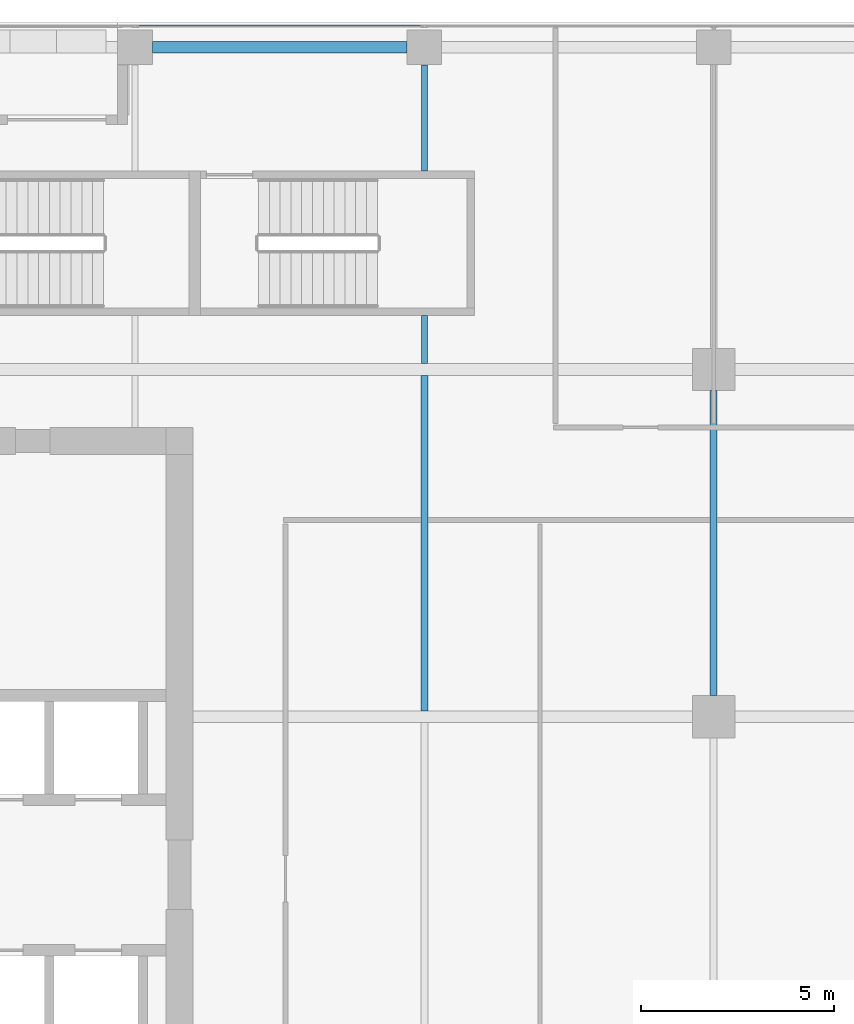
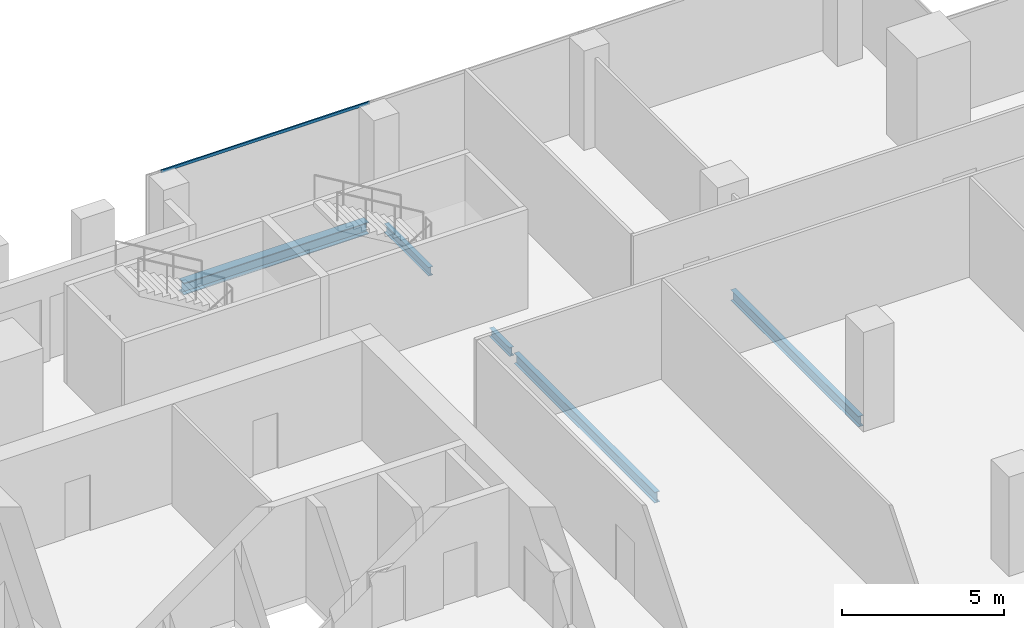
# One storey, part 20 of 36: 5 beams, 1 member, 1 element without a shape of its own.
"""IFC4 building model written with IfcOpenShell, lengths in metres."""

from ifc_helpers import new_model, si_unit, direction, frame, origin, origin_2d, place, context, subcontext, project, spatial, hollow_rectangle, i_section, extrude, source, transform, mapped, material, material_profile, profile_set, type_object, element, aggregate, save


model = new_model("IFC4")

# Units and contexts
model_context = context("Model", 3, precision=1e-05, world=origin(), true_north=direction((0.0, 1.0)))
body_context = subcontext(model_context, "Body", "Model", "MODEL_VIEW")
ifc_project = project(units=[si_unit("LENGTHUNIT", "METRE"), si_unit("AREAUNIT", "SQUARE_METRE"), si_unit("VOLUMEUNIT", "CUBIC_METRE"), si_unit("PLANEANGLEUNIT", "RADIAN"), si_unit("MASSUNIT", "GRAM", prefix="KILO")], contexts=[model_context])

# Site, building, storey
site_placement = place(None, origin())
site = spatial("IfcSite", under=ifc_project, at=site_placement, CompositionType="ELEMENT")
building_placement = place(site_placement, origin())
building = spatial("IfcBuilding", under=site, at=building_placement, Name="Khomas Fold Tower", CompositionType="ELEMENT")
storey_placement = place(building_placement, frame((0.0, 0.0, 226.199951171875)))
storey = spatial("IfcBuildingStorey", under=building, at=storey_placement, Name="L50", CompositionType="ELEMENT", Elevation=226.199951171875)

# Beams
ifc_material_1 = material(Name="Steel S355", Category="steel")
ifc_material_profile_1 = material_profile(ifc_material_1, i_section(OverallWidth=0.179931640625, OverallDepth=0.39990234375, WebThickness=0.008544921875, FlangeThickness=0.013427734375, at=origin_2d()), Name="IPE 400")
ifc_profile_set_1 = profile_set([ifc_material_profile_1], Name="Steel S355")
beam_type_1 = type_object("IfcBeamType", Name="IPE 400 beam JB3", PredefinedType="BEAM", material=ifc_profile_set_1)
shared_shape_1 = source(origin(), body_context, "Body", "SweptSolid", [
    extrude(i_section(OverallWidth=0.179931640625, OverallDepth=0.39990234375, WebThickness=0.008544921875, FlangeThickness=0.013427734375, at=origin_2d()), origin(), (0.0, 0.0, 1.0), 8.7001953125),
])
beam_1_placement = place(storey_placement, frame((27.0, 31.64990234375, -0.449951171875), z_axis=(0.0, 1.0, 0.0), x_axis=(-1.0, 0.0, 0.0)))
element("IfcBeam", 1, at=beam_1_placement, inside=storey, type_object=beam_type_1, Name="JB3", PredefinedType="BEAM", context=body_context, shape_type="MappedRepresentation", body=[
    mapped(shared_shape_1, transform((0.0, 0.0, 0.0))),
])
ifc_material_2 = material(Name="Steel S355", Category="steel")
ifc_material_profile_2 = material_profile(ifc_material_2, i_section(OverallWidth=0.159912109375, OverallDepth=0.330078125, WebThickness=0.007568359375, FlangeThickness=0.011474609375, at=origin_2d()), Name="IPE 330")
ifc_profile_set_2 = profile_set([ifc_material_profile_2], Name="Steel S355")
beam_type_2 = type_object("IfcBeamType", Name="IPE 330 beam JB1", PredefinedType="BEAM", material=ifc_profile_set_2)
shared_shape_2 = source(origin(), body_context, "Body", "SweptSolid", [
    extrude(i_section(OverallWidth=0.159912109375, OverallDepth=0.330078125, WebThickness=0.007568359375, FlangeThickness=0.011474609375, at=origin_2d()), origin(), (0.0, 0.0, 1.0), 1.25),
])
beam_2_placement = place(storey_placement, frame((27.0, 40.64990234375, -0.4150390625), z_axis=(0.0, 1.0, 0.0), x_axis=(-1.0, 0.0, 0.0)))
element("IfcBeam", 2, at=beam_2_placement, inside=storey, type_object=beam_type_2, Name="JB1", PredefinedType="BEAM", context=body_context, shape_type="MappedRepresentation", body=[
    mapped(shared_shape_2, transform((0.0, 0.0, 0.0))),
])
shared_shape_3 = source(origin(), body_context, "Body", "SweptSolid", [
    extrude(i_section(OverallWidth=0.159912109375, OverallDepth=0.330078125, WebThickness=0.007568359375, FlangeThickness=0.011474609375, at=origin_2d()), origin(), (0.0, 0.0, 1.0), 2.75),
])
beam_3_placement = place(storey_placement, frame((27.0, 45.64990234375, -0.4150390625), z_axis=(0.0, 1.0, 0.0), x_axis=(-1.0, 0.0, 0.0)))
element("IfcBeam", 3, at=beam_3_placement, inside=storey, type_object=beam_type_2, Name="JB1", PredefinedType="BEAM", context=body_context, shape_type="MappedRepresentation", body=[
    mapped(shared_shape_3, transform((0.0, 0.0, 0.0))),
])
ifc_material_3 = material(Name="Steel S355", Category="steel")
ifc_material_profile_3 = material_profile(ifc_material_3, i_section(OverallWidth=0.300048828125, OverallDepth=0.449951171875, WebThickness=0.013916015625, FlangeThickness=0.02587890625, at=origin_2d()), Name="HE 450 B")
ifc_profile_set_3 = profile_set([ifc_material_profile_3], Name="Steel S355")
beam_type_3 = type_object("IfcBeamType", Name="HE 450 B spandrel SB4", PredefinedType="SPANDREL", material=ifc_profile_set_3)
shared_shape_4 = source(origin(), body_context, "Body", "SweptSolid", [
    extrude(i_section(OverallWidth=0.300048828125, OverallDepth=0.449951171875, WebThickness=0.013916015625, FlangeThickness=0.02587890625, at=origin_2d()), origin(), (0.0, 0.0, 1.0), 6.60009765625),
])
beam_4_placement = place(storey_placement, frame((19.949951171875, 48.85009765625, -0.474853515625), z_axis=(1.0, 0.0, 0.0), x_axis=(0.0, 1.0, 0.0)))
element("IfcBeam", 4, at=beam_4_placement, inside=storey, type_object=beam_type_3, Name="SB4", PredefinedType="SPANDREL", context=body_context, shape_type="MappedRepresentation", body=[
    mapped(shared_shape_4, transform((0.0, 0.0, 0.0))),
])
shared_shape_5 = source(origin(), body_context, "Body", "SweptSolid", [
    extrude(i_section(OverallWidth=0.179931640625, OverallDepth=0.39990234375, WebThickness=0.008544921875, FlangeThickness=0.013427734375, at=origin_2d()), origin(), (0.0, 0.0, 1.0), 7.89990234375),
])
beam_5_placement = place(storey_placement, frame((34.5, 32.050048828125, -0.449951171875), z_axis=(0.0, 1.0, 0.0), x_axis=(-1.0, 0.0, 0.0)))
element("IfcBeam", 5, at=beam_5_placement, inside=storey, type_object=beam_type_1, Name="JB3", PredefinedType="BEAM", context=body_context, shape_type="MappedRepresentation", body=[
    mapped(shared_shape_5, transform((0.0, 0.0, 0.0))),
])

# Curtain wall, member
ifc_material_4 = material(Name="Aluminium framed double glazing", Category="aluminium")
curtain_wall_type = type_object("IfcCurtainWallType", Name="SK-Unitised clear-glass wall, office floors CW2", PredefinedType="NOTDEFINED", material=ifc_material_4)
curtain_wall_placement = place(storey_placement, origin())
curtain_wall = element("IfcCurtainWall", 6, at=curtain_wall_placement, inside=storey, type_object=curtain_wall_type, Name="CW2 run L50 06-0", PredefinedType="NOTDEFINED")
ifc_material_5 = material(Name="Aluminium", Category="aluminium")
ifc_material_profile_4 = material_profile(ifc_material_5, hollow_rectangle(XDim=0.050048828125, YDim=0.110107421875, WallThickness=0.00390625, at=origin_2d()), Name="SK-Unitised clear-glass wall, office floors transom CW2-T")
ifc_profile_set_4 = profile_set([ifc_material_profile_4], Name="Aluminium")
member_type = type_object("IfcMemberType", Name="SK-Unitised clear-glass wall, office floors transom CW2-T", PredefinedType="USERDEFINED", material=ifc_profile_set_4)
shared_shape_6 = source(origin(), body_context, "Body", "SweptSolid", [
    extrude(hollow_rectangle(XDim=0.050048828125, YDim=0.110107421875, WallThickness=0.00390625, at=origin_2d()), origin(), (0.0, 0.0, 1.0), 7.43994140625),
])
member_placement = place(storey_placement, frame((26.969970703125, 49.39990234375, 3.695068359375), z_axis=(-1.0, 0.0, 0.0), x_axis=(0.0, -1.0, 0.0)))
member = element("IfcMember", 7, at=member_placement, type_object=member_type, Name="CW2 transom 4", ObjectType="TRANSOM", PredefinedType="USERDEFINED", context=body_context, shape_type="MappedRepresentation", body=[
    mapped(shared_shape_6, transform((0.0, 0.0, 0.0))),
])
aggregate(curtain_wall, [member])

save(model, "model.ifc")
